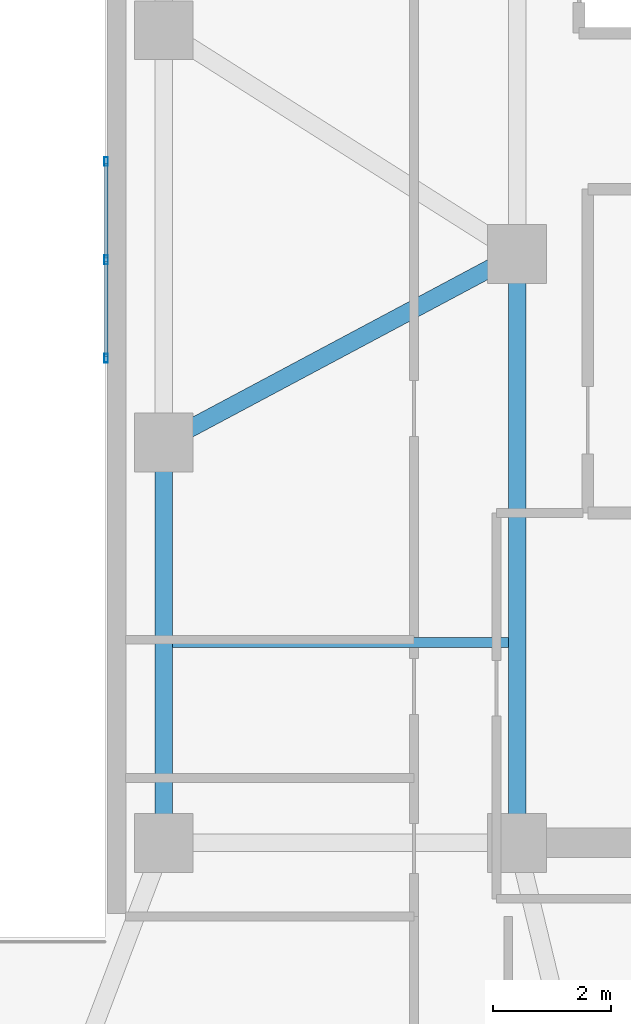
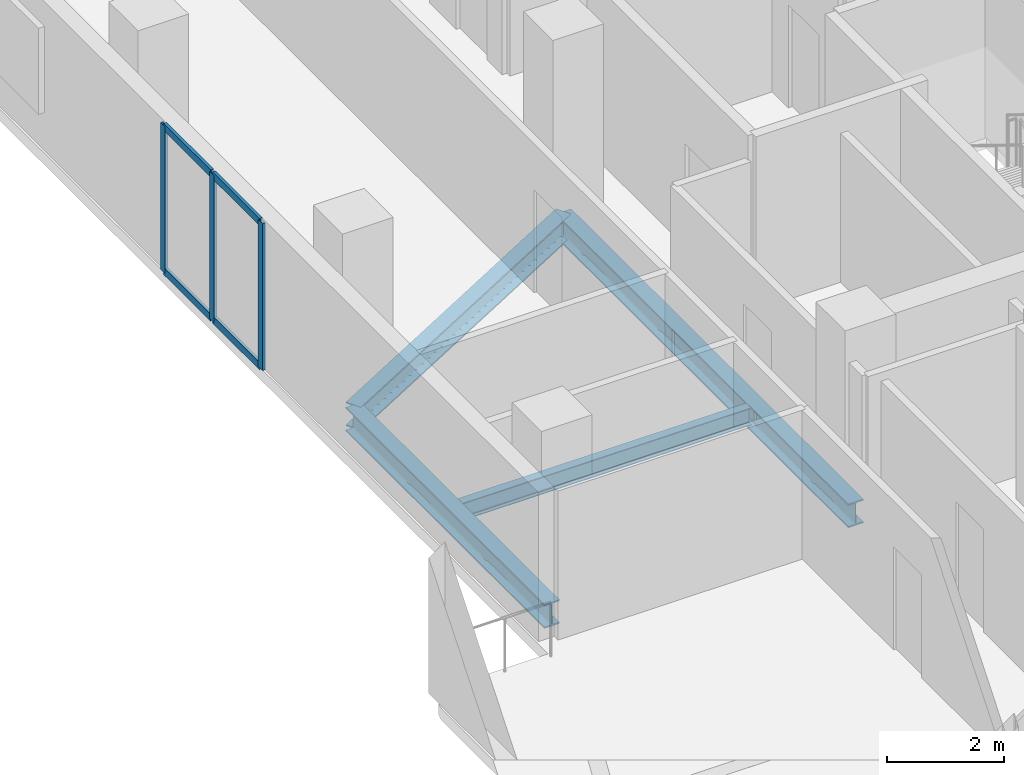
# One storey, part 4 of 15: 7 members, 4 beams, 1 element without a shape of its own.
"""IFC4 building model written with IfcOpenShell, lengths in metres."""

from ifc_helpers import new_model, si_unit, direction, frame, origin, origin_2d, place, context, subcontext, project, spatial, hollow_rectangle, i_section, extrude, material, material_profile, profile_set, type_object, element, aggregate, save


model = new_model("IFC4")

# Units and contexts
model_context = context("Model", 3, precision=1e-05, world=origin(), true_north=direction((0.0, 1.0)))
body_context = subcontext(model_context, "Body", "Model", "MODEL_VIEW")
ifc_project = project(units=[si_unit("LENGTHUNIT", "METRE"), si_unit("AREAUNIT", "SQUARE_METRE"), si_unit("VOLUMEUNIT", "CUBIC_METRE"), si_unit("PLANEANGLEUNIT", "RADIAN"), si_unit("MASSUNIT", "GRAM", prefix="KILO")], contexts=[model_context])

# Site, building, storey
site_placement = place(None, origin())
site = spatial("IfcSite", under=ifc_project, at=site_placement, CompositionType="ELEMENT")
building_placement = place(site_placement, origin())
building = spatial("IfcBuilding", under=site, at=building_placement, Name="Kuzgunbayir Cultural Tower", CompositionType="ELEMENT")
storey_placement = place(building_placement, frame((0.0, 0.0, 39.800048828125)))
storey = spatial("IfcBuildingStorey", under=building, at=storey_placement, Name="L10", CompositionType="ELEMENT", Elevation=39.800048828125)

# Beams
ifc_material_1 = material(Name="Steel S355J2", Category="steel")
ifc_material_profile_1 = material_profile(ifc_material_1, i_section(OverallWidth=0.300048828125, OverallDepth=0.5, WebThickness=0.014404296875, FlangeThickness=0.028076171875, FilletRadius=0.027099609375, at=origin_2d()), Name="HEB 500")
ifc_profile_set_1 = profile_set([ifc_material_profile_1], Name="Steel S355J2")
beam_type_1 = type_object("IfcBeamType", Name="BM-EXT-HEB500", PredefinedType="BEAM", material=ifc_profile_set_1)
beam_1_placement = place(storey_placement, frame((58.60009765625, 22.0, -0.489990234375), z_axis=(0.0, 1.0, 0.0), x_axis=(-1.0, 0.0, 0.0)))
element("IfcBeam", 1, at=beam_1_placement, inside=storey, type_object=beam_type_1, Name="L10 Companion West Girder", PredefinedType="BEAM", context=body_context, shape_type="SweptSolid", body=[
    extrude(i_section(OverallWidth=0.300048828125, OverallDepth=0.5, WebThickness=0.014404296875, FlangeThickness=0.028076171875, FilletRadius=0.027099609375, at=origin_2d()), origin(), (0.0, 0.0, 1.0), 6.800048828125),
])
ifc_material_profile_2 = material_profile(ifc_material_1, i_section(OverallWidth=0.300048828125, OverallDepth=0.5, WebThickness=0.014404296875, FlangeThickness=0.028076171875, FilletRadius=0.027099609375, at=origin_2d()), Name="HEB 500")
ifc_profile_set_2 = profile_set([ifc_material_profile_2], Name="Steel S355J2")
beam_type_2 = type_object("IfcBeamType", Name="BM-GIR-HEB500", PredefinedType="BEAM", material=ifc_profile_set_2)
beam_2_placement = place(storey_placement, frame((58.60009765625, 28.800048828125, -0.489990234375), z_axis=(0.882355922736, 0.470582644828, 0.0), x_axis=(-0.470582644828, 0.882355922736, 0.0)))
element("IfcBeam", 2, at=beam_2_placement, inside=storey, type_object=beam_type_2, Name="L10 Companion Transverse Girder 2", PredefinedType="BEAM", context=body_context, shape_type="SweptSolid", body=[
    extrude(i_section(OverallWidth=0.300048828125, OverallDepth=0.5, WebThickness=0.014404296875, FlangeThickness=0.028076171875, FilletRadius=0.027099609375, at=origin_2d()), origin(), (0.0, 0.0, 1.0), 6.800048828125),
])
beam_3_placement = place(storey_placement, frame((64.60009765625, 22.0, -0.489990234375), z_axis=(0.0, 1.0, 0.0), x_axis=(-1.0, 0.0, 0.0)))
element("IfcBeam", 3, at=beam_3_placement, inside=storey, type_object=beam_type_2, Name="L10 Companion Core West Girder 1", PredefinedType="BEAM", context=body_context, shape_type="SweptSolid", body=[
    extrude(i_section(OverallWidth=0.300048828125, OverallDepth=0.5, WebThickness=0.014404296875, FlangeThickness=0.028076171875, FilletRadius=0.027099609375, at=origin_2d()), origin(), (0.0, 0.0, 1.0), 10.0),
])
ifc_material_profile_3 = material_profile(ifc_material_1, i_section(OverallWidth=0.169921875, OverallDepth=0.360107421875, WebThickness=0.008056640625, FlangeThickness=0.0126953125, FilletRadius=0.01806640625, at=origin_2d()), Name="IPE 360")
ifc_profile_set_3 = profile_set([ifc_material_profile_3], Name="Steel S355J2")
beam_type_3 = type_object("IfcBeamType", Name="BM-JST-IPE360", PredefinedType="JOIST", material=ifc_profile_set_3)
beam_4_placement = place(storey_placement, frame((58.75, 25.39990234375, -0.420166015625), z_axis=(1.0, 0.0, 0.0), x_axis=(0.0, 1.0, 0.0)))
element("IfcBeam", 4, at=beam_4_placement, inside=storey, type_object=beam_type_3, Name="L10 Companion Joist", PredefinedType="JOIST", context=body_context, shape_type="SweptSolid", body=[
    extrude(i_section(OverallWidth=0.169921875, OverallDepth=0.360107421875, WebThickness=0.008056640625, FlangeThickness=0.0126953125, FilletRadius=0.01806640625, at=origin_2d()), origin(), (0.0, 0.0, 1.0), 5.699951171875),
])

# Curtain wall, members
ifc_material_2 = material(Name="Anodised Aluminium Framing", Category="aluminium")
curtain_wall_type = type_object("IfcCurtainWallType", Name="CW04-T2-CULTURAL", PredefinedType="NOTDEFINED", material=ifc_material_2)
curtain_wall_placement = place(storey_placement, origin())
curtain_wall = element("IfcCurtainWall", 5, at=curtain_wall_placement, inside=storey, type_object=curtain_wall_type, Name="L10 Companion Cultural Curtain Wall", PredefinedType="NOTDEFINED")
ifc_material_profile_4 = material_profile(ifc_material_2, hollow_rectangle(XDim=0.06005859375, YDim=0.14990234375, WallThickness=0.00390625, at=origin_2d()), Name="RHS 150x60x4")
ifc_profile_set_4 = profile_set([ifc_material_profile_4], Name="Anodised Aluminium Framing")
member_type_1 = type_object("IfcMemberType", Name="MEM-CW-MULLION-150", PredefinedType="MULLION", material=ifc_profile_set_4)
member_1_placement = place(storey_placement, frame((57.6201171875, 30.22998046875, 0.0), z_axis=(0.0, 0.0, 1.0), x_axis=(-1.0, 0.0, 0.0)))
member_1 = element("IfcMember", 6, at=member_1_placement, type_object=member_type_1, Name="CW04 mullion 1", PredefinedType="MULLION", context=body_context, shape_type="SweptSolid", body=[
    extrude(hollow_rectangle(XDim=0.06005859375, YDim=0.14990234375, WallThickness=0.00390625, at=origin_2d()), origin(), (0.0, 0.0, 1.0), 3.070068359375),
])
member_2_placement = place(storey_placement, frame((57.6201171875, 31.89990234375, 0.0), z_axis=(0.0, 0.0, 1.0), x_axis=(-1.0, 0.0, 0.0)))
member_2 = element("IfcMember", 7, at=member_2_placement, type_object=member_type_1, Name="CW04 mullion 2", PredefinedType="MULLION", context=body_context, shape_type="SweptSolid", body=[
    extrude(hollow_rectangle(XDim=0.06005859375, YDim=0.14990234375, WallThickness=0.00390625, at=origin_2d()), origin(), (0.0, 0.0, 1.0), 3.070068359375),
])
member_3_placement = place(storey_placement, frame((57.6201171875, 33.570068359375, 0.0), z_axis=(0.0, 0.0, 1.0), x_axis=(-1.0, 0.0, 0.0)))
member_3 = element("IfcMember", 8, at=member_3_placement, type_object=member_type_1, Name="CW04 mullion 3", PredefinedType="MULLION", context=body_context, shape_type="SweptSolid", body=[
    extrude(hollow_rectangle(XDim=0.06005859375, YDim=0.14990234375, WallThickness=0.00390625, at=origin_2d()), origin(), (0.0, 0.0, 1.0), 3.070068359375),
])
ifc_material_profile_5 = material_profile(ifc_material_2, hollow_rectangle(XDim=0.06005859375, YDim=0.14990234375, WallThickness=0.00390625, at=origin_2d()), Name="RHS 150x60x4")
ifc_profile_set_5 = profile_set([ifc_material_profile_5], Name="Anodised Aluminium Framing")
member_type_2 = type_object("IfcMemberType", Name="MEM-CW-TRANSOM-150", PredefinedType="USERDEFINED", material=ifc_profile_set_5)
member_4_placement = place(storey_placement, frame((57.6201171875, 30.260009765625, 0.030029296875), z_axis=(0.0, 1.0, 0.0), x_axis=(-1.0, 0.0, 0.0)))
member_4 = element("IfcMember", 9, at=member_4_placement, type_object=member_type_2, Name="CW04 transom 1.1", ObjectType="TRANSOM", PredefinedType="USERDEFINED", context=body_context, shape_type="SweptSolid", body=[
    extrude(hollow_rectangle(XDim=0.06005859375, YDim=0.14990234375, WallThickness=0.00390625, at=origin_2d()), origin(), (0.0, 0.0, 1.0), 1.610107421875),
])
member_5_placement = place(storey_placement, frame((57.6201171875, 30.260009765625, 3.0400390625), z_axis=(0.0, 1.0, 0.0), x_axis=(-1.0, 0.0, 0.0)))
member_5 = element("IfcMember", 10, at=member_5_placement, type_object=member_type_2, Name="CW04 transom 1.2", ObjectType="TRANSOM", PredefinedType="USERDEFINED", context=body_context, shape_type="SweptSolid", body=[
    extrude(hollow_rectangle(XDim=0.06005859375, YDim=0.14990234375, WallThickness=0.00390625, at=origin_2d()), origin(), (0.0, 0.0, 1.0), 1.610107421875),
])
member_6_placement = place(storey_placement, frame((57.6201171875, 31.929931640625, 0.030029296875), z_axis=(0.0, 1.0, 0.0), x_axis=(-1.0, 0.0, 0.0)))
member_6 = element("IfcMember", 11, at=member_6_placement, type_object=member_type_2, Name="CW04 transom 2.1", ObjectType="TRANSOM", PredefinedType="USERDEFINED", context=body_context, shape_type="SweptSolid", body=[
    extrude(hollow_rectangle(XDim=0.06005859375, YDim=0.14990234375, WallThickness=0.00390625, at=origin_2d()), origin(), (0.0, 0.0, 1.0), 1.610107421875),
])
member_7_placement = place(storey_placement, frame((57.6201171875, 31.929931640625, 3.0400390625), z_axis=(0.0, 1.0, 0.0), x_axis=(-1.0, 0.0, 0.0)))
member_7 = element("IfcMember", 12, at=member_7_placement, type_object=member_type_2, Name="CW04 transom 2.2", ObjectType="TRANSOM", PredefinedType="USERDEFINED", context=body_context, shape_type="SweptSolid", body=[
    extrude(hollow_rectangle(XDim=0.06005859375, YDim=0.14990234375, WallThickness=0.00390625, at=origin_2d()), origin(), (0.0, 0.0, 1.0), 1.610107421875),
])
aggregate(curtain_wall, [member_1, member_2, member_3, member_4, member_5, member_6, member_7])

save(model, "model.ifc")
